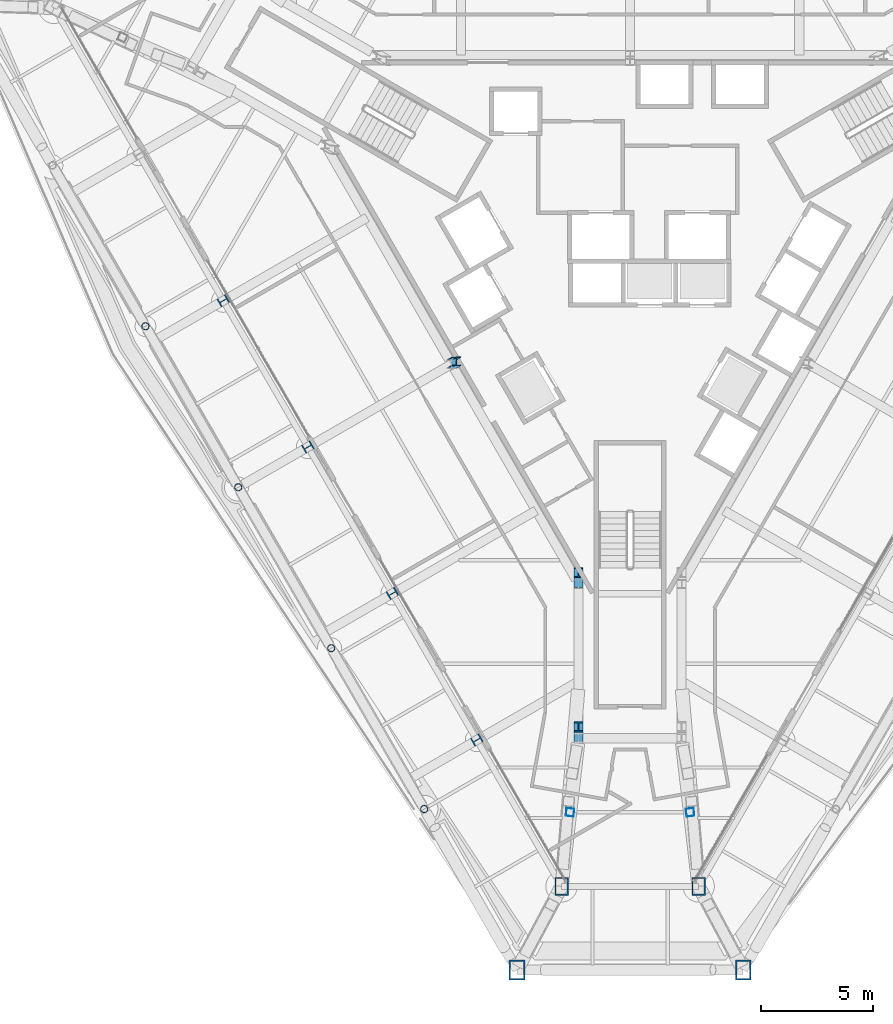
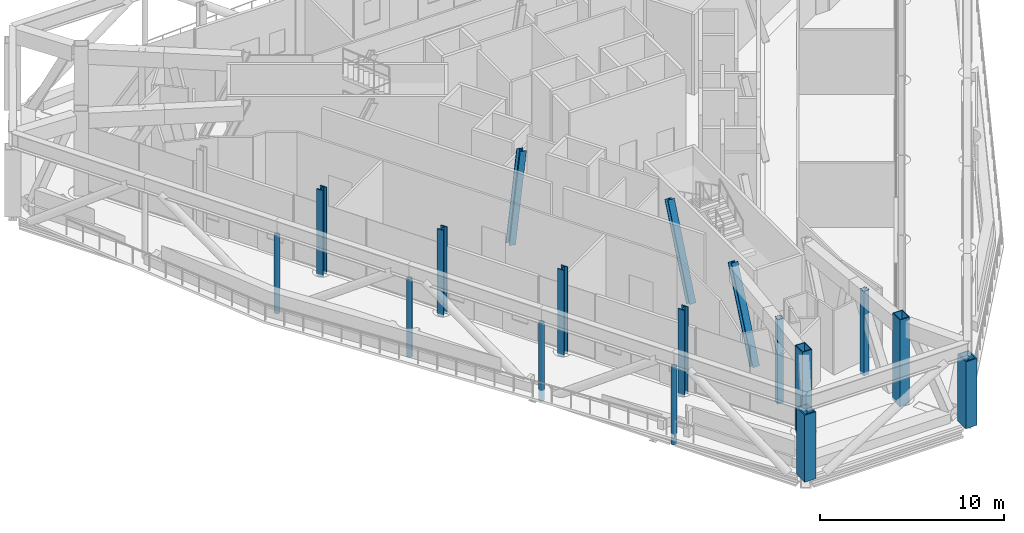
# One storey, part 1 of 25: 17 columns.
"""IFC4 building model written with IfcOpenShell, lengths in metres."""

from ifc_helpers import new_model, si_unit, direction, frame, origin, origin_2d, place, context, subcontext, project, spatial, hollow_rectangle, hollow_circle, i_section, extrude, material, material_profile, profile_set, type_object, element, save


model = new_model("IFC4")

# Units and contexts
model_context = context("Model", 3, precision=1e-05, world=origin(), true_north=direction((0.0, 1.0)))
body_context = subcontext(model_context, "Body", "Model", "MODEL_VIEW")
ifc_project = project(units=[si_unit("LENGTHUNIT", "METRE"), si_unit("AREAUNIT", "SQUARE_METRE"), si_unit("VOLUMEUNIT", "CUBIC_METRE"), si_unit("PLANEANGLEUNIT", "RADIAN"), si_unit("MASSUNIT", "GRAM", prefix="KILO")], contexts=[model_context])

# Site, building, storey
site_placement = place(None, origin())
site = spatial("IfcSite", under=ifc_project, at=site_placement, CompositionType="ELEMENT")
building_placement = place(site_placement, origin())
building = spatial("IfcBuilding", under=site, at=building_placement, Name="Verrane Prism Tower", CompositionType="ELEMENT")
storey_placement = place(building_placement, frame((0.0, 0.0, 143.199951171875)))
storey = spatial("IfcBuildingStorey", under=building, at=storey_placement, Name="L35", CompositionType="ELEMENT", Elevation=143.199951171875)

# Columns
ifc_material_1 = material(Name="Steel A500 Grade C", Category="steel")
ifc_material_profile_1 = material_profile(ifc_material_1, hollow_circle(Radius=0.16259765625, WallThickness=0.0126953125, at=origin_2d()), Name="HSS12.750x0.500")
ifc_profile_set_1 = profile_set([ifc_material_profile_1], Name="Steel A500 Grade C")
column_type_1 = type_object("IfcColumnType", Name="Belt truss post HSS12.750x0.500", PredefinedType="COLUMN", material=ifc_profile_set_1)
for number, where, z_axis, x_axis, name in (
    (1, (-21.6298828125, -2.909912109375, -0.72998046875), (0.0, 0.0, 1.0), (-0.5, 0.866025403784, 0.0), "Belt truss post L35"),
    (2, (-17.489990234375, -10.10009765625, -0.72998046875), (0.0, 0.0, 1.0), (-0.5, 0.866025403784, 0.0), "Belt truss post L35"),
    (3, (-13.340087890625, -17.280029296875, -0.72998046875), (0.0, 0.0, 1.0), (-0.5, 0.866025403784, 0.0), "Belt truss post L35"),
    (4, (-9.18994140625, -24.4599609375, -0.72998046875), (0.0, 0.0, 1.0), (-0.5, 0.866025403784, 0.0), "Belt truss post L35"),
):
    element("IfcColumn", number, at=place(storey_placement, frame(where, z_axis=z_axis, x_axis=x_axis)), inside=storey, type_object=column_type_1, Name=name, PredefinedType="COLUMN", context=body_context, shape_type="SweptSolid", body=[
        extrude(hollow_circle(Radius=0.16259765625, WallThickness=0.0126953125, at=origin_2d()), origin(), (0.0, 0.0, 1.0), 5.169921875),
    ])
ifc_material_2 = material(Name="Steel A992", Category="steel")
ifc_material_profile_2 = material_profile(ifc_material_2, i_section(OverallWidth=0.411376953125, OverallDepth=0.434326171875, WebThickness=0.035888671875, FlangeThickness=0.057373046875, FilletRadius=0.01513671875, at=origin_2d()), Name="W14x311")
ifc_profile_set_2 = profile_set([ifc_material_profile_2], Name="Steel A992")
column_type_2 = type_object("IfcColumnType", Name="Core corner column W14x311", PredefinedType="COLUMN", material=ifc_profile_set_2)
column_1_placement = place(storey_placement, frame((-2.300048828125, -21.2763671875, 0.054931640625), z_axis=(0.0, 0.3938946336, 0.919155600332), x_axis=(-1.0, 0.0, 0.0)))
element("IfcColumn", 5, at=column_1_placement, inside=storey, type_object=column_type_2, Name="Core corner column CK-Sm L35", PredefinedType="COLUMN", context=body_context, shape_type="SweptSolid", body=[
    extrude(i_section(OverallWidth=0.411376953125, OverallDepth=0.434326171875, WebThickness=0.035888671875, FlangeThickness=0.057373046875, FilletRadius=0.01513671875, at=origin_2d()), origin(), (0.0, 0.0, 1.0), 5.97314453125),
])
ifc_material_3 = material(Name="Steel A992", Category="steel")
ifc_material_profile_3 = material_profile(ifc_material_3, i_section(OverallWidth=0.4013671875, OverallDepth=0.398681640625, WebThickness=0.02490234375, FlangeThickness=0.03955078125, FilletRadius=0.01513671875, at=origin_2d()), Name="W14x211")
ifc_profile_set_3 = profile_set([ifc_material_profile_3], Name="Steel A992")
column_type_3 = type_object("IfcColumnType", Name="Core side column W14x211", PredefinedType="COLUMN", material=ifc_profile_set_3)
column_2_placement = place(storey_placement, frame((-7.962646484375, -4.595703125, 0.0400390625), z_axis=(0.18158785929, 0.104740603763, 0.97778078079), x_axis=(0.983190410974, -8.7292444e-05, -0.182583154064)))
element("IfcColumn", 6, at=column_2_placement, inside=storey, type_object=column_type_3, Name="Core side column CC-SW0 L35", PredefinedType="COLUMN", context=body_context, shape_type="SweptSolid", body=[
    extrude(i_section(OverallWidth=0.4013671875, OverallDepth=0.398681640625, WebThickness=0.02490234375, FlangeThickness=0.03955078125, FilletRadius=0.01513671875, at=origin_2d()), origin(), (0.0, 0.0, 1.0), 5.6455078125),
])
column_3_placement = place(storey_placement, frame((-2.300048828125, -14.398681640625, 0.050048828125), z_axis=(0.0, 0.393924222714, 0.919142919659), x_axis=(1.0, 0.0, 0.0)))
element("IfcColumn", 7, at=column_3_placement, inside=storey, type_object=column_type_3, Name="Core side column CC-Sm L35", PredefinedType="COLUMN", context=body_context, shape_type="SweptSolid", body=[
    extrude(i_section(OverallWidth=0.4013671875, OverallDepth=0.398681640625, WebThickness=0.02490234375, FlangeThickness=0.03955078125, FilletRadius=0.01513671875, at=origin_2d()), origin(), (0.0, 0.0, 1.0), 5.98388671875),
])
ifc_material_4 = material(Name="Steel A572 Grade 50", Category="steel")
ifc_material_profile_4 = material_profile(ifc_material_4, hollow_rectangle(XDim=0.60009765625, YDim=0.800048828125, WallThickness=0.050048828125, at=origin_2d()), Name="BOX 800x600x50")
ifc_profile_set_4 = profile_set([ifc_material_profile_4], Name="Steel A572 Grade 50")
column_type_4 = type_object("IfcColumnType", Name="Megacolumn BOX 800x600x50", PredefinedType="COLUMN", material=ifc_profile_set_4)
for number, where, z_axis, x_axis, name in (
    (8, (-3.06005859375, -27.909912109375, -0.159912109375), (0.0, 0.0, 1.0), (-1.0, 0.0, 0.0), "Megacolumn MC-S.a L35"),
    (9, (3.06005859375, -27.909912109375, -0.159912109375), (0.0, 0.0, 1.0), (-1.0, 0.0, 0.0), "Megacolumn MC-S.b L35"),
):
    element("IfcColumn", number, at=place(storey_placement, frame(where, z_axis=z_axis, x_axis=x_axis)), inside=storey, type_object=column_type_4, Name=name, PredefinedType="COLUMN", context=body_context, shape_type="SweptSolid", body=[
        extrude(hollow_rectangle(XDim=0.60009765625, YDim=0.800048828125, WallThickness=0.050048828125, at=origin_2d()), origin(), (0.0, 0.0, 1.0), 5.760009765625),
    ])
ifc_material_5 = material(Name="Steel A572 Grade 50", Category="steel")
ifc_material_profile_5 = material_profile(ifc_material_5, hollow_rectangle(XDim=0.699951171875, YDim=0.89990234375, WallThickness=0.06494140625, at=origin_2d()), Name="BOX 900x700x65")
ifc_profile_set_5 = profile_set([ifc_material_profile_5], Name="Steel A572 Grade 50")
column_type_5 = type_object("IfcColumnType", Name="Megacolumn BOX 900x700x65", PredefinedType="COLUMN", material=ifc_profile_set_5)
for number, where, z_axis, x_axis, name in (
    (10, (-5.050048828125, -31.639892578125, 0.0), (0.0, 0.0, 1.0), (-1.0, 0.0, 0.0), "Megacolumn MC-S.a@out L35"),
    (11, (5.050048828125, -31.639892578125, 0.0), (0.0, 0.0, 1.0), (-1.0, 0.0, 0.0), "Megacolumn MC-S.b@out L35"),
):
    element("IfcColumn", number, at=place(storey_placement, frame(where, z_axis=z_axis, x_axis=x_axis)), inside=storey, type_object=column_type_5, Name=name, PredefinedType="COLUMN", context=body_context, shape_type="SweptSolid", body=[
        extrude(hollow_rectangle(XDim=0.699951171875, YDim=0.89990234375, WallThickness=0.06494140625, at=origin_2d()), origin(), (0.0, 0.0, 1.0), 4.43994140625),
    ])
ifc_material_6 = material(Name="Steel A500 Grade C", Category="steel")
ifc_material_profile_6 = material_profile(ifc_material_6, hollow_rectangle(XDim=0.355712890625, YDim=0.355712890625, WallThickness=0.0126953125, InnerFilletRadius=0.00634765625, OuterFilletRadius=0.01904296875, at=origin_2d()), Name="HSS14x14x1/2")
ifc_profile_set_6 = profile_set([ifc_material_profile_6], Name="Steel A500 Grade C")
column_type_6 = type_object("IfcColumnType", Name="Outrigger truss post HSS14x14x1/2", PredefinedType="COLUMN", material=ifc_profile_set_6)
for number, where, z_axis, x_axis, name in (
    (12, (-2.679931640625, -24.60498046875, -0.159912109375), (0.0, 0.0, 1.0), (0.99345495792, -0.114224544576, 0.0), "Outrigger truss post L35"),
    (13, (2.679931640625, -24.60498046875, -0.159912109375), (0.0, 0.0, 1.0), (0.99345495792, 0.114224544576, 0.0), "Outrigger truss post L35"),
):
    element("IfcColumn", number, at=place(storey_placement, frame(where, z_axis=z_axis, x_axis=x_axis)), inside=storey, type_object=column_type_6, Name=name, PredefinedType="COLUMN", context=body_context, shape_type="SweptSolid", body=[
        extrude(hollow_rectangle(XDim=0.355712890625, YDim=0.355712890625, WallThickness=0.0126953125, InnerFilletRadius=0.00634765625, OuterFilletRadius=0.01904296875, at=origin_2d()), origin(), (0.0, 0.0, 1.0), 5.599853515625),
    ])
ifc_material_7 = material(Name="Steel A992", Category="steel")
ifc_material_profile_7 = material_profile(ifc_material_7, i_section(OverallWidth=0.411376953125, OverallDepth=0.434326171875, WebThickness=0.035888671875, FlangeThickness=0.057373046875, FilletRadius=0.01513671875, at=origin_2d()), Name="W14x311")
ifc_profile_set_7 = profile_set([ifc_material_profile_7], Name="Steel A992")
column_type_7 = type_object("IfcColumnType", Name="Perimeter column W14x311", PredefinedType="COLUMN", material=ifc_profile_set_7)
for number, where, z_axis, x_axis, name in (
    (14, (-18.159912109375, -1.77001953125, -0.159912109375), (0.0, 0.0, 1.0), (-0.5, 0.866025403784, 0.0), "Perimeter column PC-SW2 L35"),
    (15, (-14.3798828125, -8.300048828125, -0.159912109375), (0.0, 0.0, 1.0), (-0.5, 0.866025403784, 0.0), "Perimeter column PC-SW3 L35"),
    (16, (-10.610107421875, -14.840087890625, -0.159912109375), (0.0, 0.0, 1.0), (-0.5, 0.866025403784, 0.0), "Perimeter column PC-SW4 L35"),
    (17, (-6.840087890625, -21.3798828125, -0.159912109375), (0.0, 0.0, 1.0), (-0.5, 0.866025403784, 0.0), "Perimeter column PC-SW5 L35"),
):
    element("IfcColumn", number, at=place(storey_placement, frame(where, z_axis=z_axis, x_axis=x_axis)), inside=storey, type_object=column_type_7, Name=name, PredefinedType="COLUMN", context=body_context, shape_type="SweptSolid", body=[
        extrude(i_section(OverallWidth=0.411376953125, OverallDepth=0.434326171875, WebThickness=0.035888671875, FlangeThickness=0.057373046875, FilletRadius=0.01513671875, at=origin_2d()), origin(), (0.0, 0.0, 1.0), 5.760009765625),
    ])

save(model, "model.ifc")
